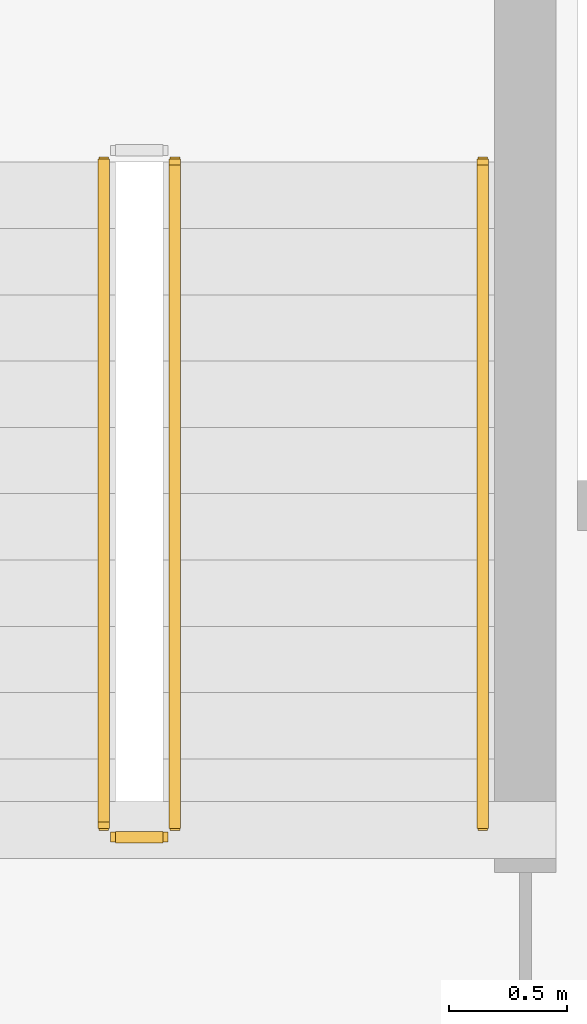
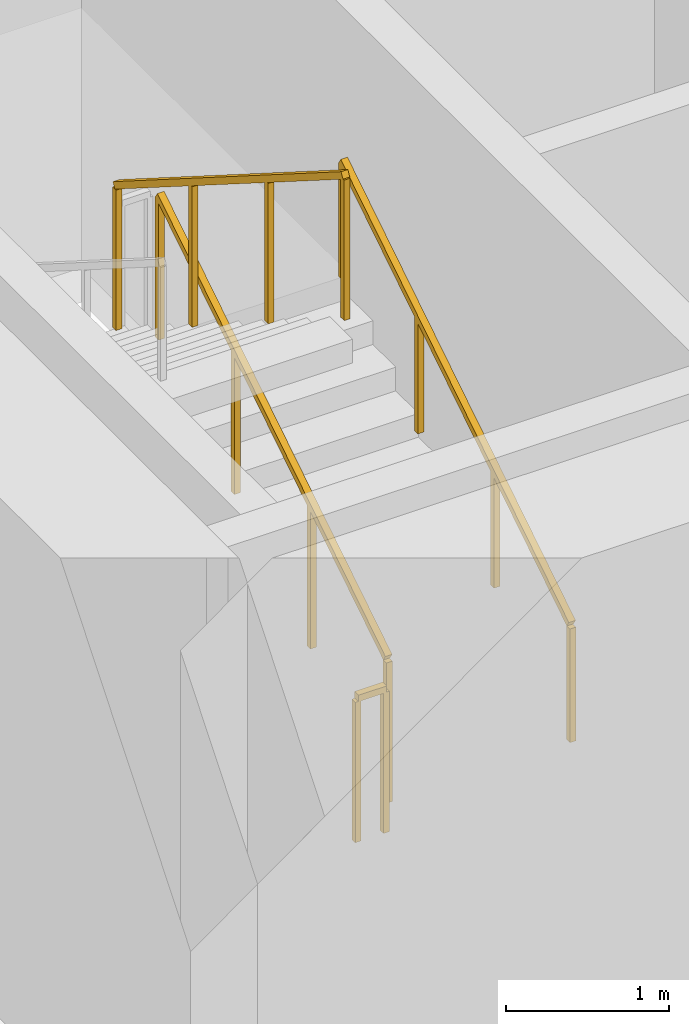
# One storey, part 34 of 38: 4 railings.
"""IFC4 building model written with IfcOpenShell, lengths in metres."""

from ifc_helpers import new_model, si_unit, direction, frame, origin, origin_2d, place, context, subcontext, project, spatial, rectangle, extrude, material, type_object, element, save


model = new_model("IFC4")

# Units and contexts
model_context = context("Model", 3, precision=1e-05, world=origin(), true_north=direction((0.0, 1.0)))
body_context = subcontext(model_context, "Body", "Model", "MODEL_VIEW")
ifc_project = project(units=[si_unit("LENGTHUNIT", "METRE"), si_unit("AREAUNIT", "SQUARE_METRE"), si_unit("VOLUMEUNIT", "CUBIC_METRE"), si_unit("PLANEANGLEUNIT", "RADIAN"), si_unit("MASSUNIT", "GRAM", prefix="KILO")], contexts=[model_context])

# Site, building, storey
site_placement = place(None, origin())
site = spatial("IfcSite", under=ifc_project, at=site_placement, CompositionType="ELEMENT")
building_placement = place(site_placement, origin())
building = spatial("IfcBuilding", under=site, at=building_placement, Name="Kiyonajd Concourse Tower", CompositionType="ELEMENT")
storey_placement = place(building_placement, frame((0.0, 0.0, 21.60009765625)))
storey = spatial("IfcBuildingStorey", under=building, at=storey_placement, Name="L06", CompositionType="ELEMENT", Elevation=21.60009765625)

# Railings
ifc_material_1 = material(Name="Steel ASTM A500 Grade C", Category="steel")
railing_type_1 = type_object("IfcRailingType", Name="RL-GRD-STR", PredefinedType="GUARDRAIL", material=ifc_material_1)
railing_1_placement = place(storey_placement, frame((35.5, 30.550048828125, 0.17724609375)))
element("IfcRailing", 1, at=railing_1_placement, inside=storey, type_object=railing_type_1, Name="L06 ST1 stair guard 1", PredefinedType="GUARDRAIL", context=body_context, shape_type="SweptSolid", body=[
    extrude(rectangle(XDim=0.048095703125, YDim=0.048095703125, at=origin_2d()), frame((0.0, 0.0, 1.076171875), z_axis=(0.0, 0.844908973607, 0.534910110503), x_axis=(-1.0, 0.0, 0.0)), (0.0, 0.0, 1.0), 3.31396484375),
    extrude(rectangle(XDim=0.0419921875, YDim=0.0419921875, at=origin_2d()), origin(), (0.0, 0.0, 1.0), 1.052001953125),
    extrude(rectangle(XDim=0.0419921875, YDim=0.0419921875, at=origin_2d()), frame((0.0, 0.933349609375, 0.5908203125)), (0.0, 0.0, 1.0), 1.052001953125),
    extrude(rectangle(XDim=0.0419921875, YDim=0.0419921875, at=origin_2d()), frame((0.0, 1.86669921875, 1.181884765625)), (0.0, 0.0, 1.0), 1.052001953125),
    extrude(rectangle(XDim=0.0419921875, YDim=0.0419921875, at=origin_2d()), frame((0.0, 2.800048828125, 1.772705078125)), (0.0, 0.0, 1.0), 1.052001953125),
])
railing_2_placement = place(storey_placement, frame((35.199951171875, 33.35009765625, 2.127197265625)))
element("IfcRailing", 2, at=railing_2_placement, inside=storey, type_object=railing_type_1, Name="L06 ST1 stair guard 3", PredefinedType="GUARDRAIL", context=body_context, shape_type="SweptSolid", body=[
    extrude(rectangle(XDim=0.048095703125, YDim=0.048095703125, at=origin_2d()), frame((0.0, 0.0, 1.076171875), z_axis=(0.0, -0.844908973607, 0.534910110503), x_axis=(1.0, 0.0, 0.0)), (0.0, 0.0, 1.0), 3.31396484375),
    extrude(rectangle(XDim=0.0419921875, YDim=0.0419921875, at=origin_2d()), origin(), (0.0, 0.0, 1.0), 1.052001953125),
    extrude(rectangle(XDim=0.0419921875, YDim=0.0419921875, at=origin_2d()), frame((0.0, -0.933349609375, 0.5908203125)), (0.0, 0.0, 1.0), 1.052001953125),
    extrude(rectangle(XDim=0.0419921875, YDim=0.0419921875, at=origin_2d()), frame((0.0, -1.86669921875, 1.181884765625)), (0.0, 0.0, 1.0), 1.052001953125),
    extrude(rectangle(XDim=0.0419921875, YDim=0.0419921875, at=origin_2d()), frame((0.0, -2.800048828125, 1.772705078125)), (0.0, 0.0, 1.0), 1.052001953125),
])
railing_3_placement = place(storey_placement, frame((35.449951171875, 30.5, 0.0)))
element("IfcRailing", 3, at=railing_3_placement, inside=storey, type_object=railing_type_1, Name="L06 ST1 stair guard 4", PredefinedType="GUARDRAIL", context=body_context, shape_type="SweptSolid", body=[
    extrude(rectangle(XDim=0.048095703125, YDim=0.048095703125, at=origin_2d()), frame((0.0, 0.0, 1.076171875), z_axis=(-1.0, 0.0, 0.0), x_axis=(0.0, -1.0, 0.0)), (0.0, 0.0, 1.0), 0.199951171875),
    extrude(rectangle(XDim=0.0419921875, YDim=0.0419921875, at=origin_2d()), origin(), (0.0, 0.0, 1.0), 1.052001953125),
    extrude(rectangle(XDim=0.0419921875, YDim=0.0419921875, at=origin_2d()), frame((-0.199951171875, 0.0, 0.0)), (0.0, 0.0, 1.0), 1.052001953125),
])
ifc_material_2 = material(Name="Brushed Stainless Steel Cab Assembly", Category="steel")
railing_type_2 = type_object("IfcRailingType", Name="RL-HND-900", PredefinedType="HANDRAIL", material=ifc_material_2)
railing_4_placement = place(storey_placement, frame((36.800048828125, 30.550048828125, 0.17724609375)))
element("IfcRailing", 4, at=railing_4_placement, inside=storey, type_object=railing_type_2, Name="L06 ST1 stair handrail 1", PredefinedType="HANDRAIL", context=body_context, shape_type="SweptSolid", body=[
    extrude(rectangle(XDim=0.048095703125, YDim=0.048095703125, at=origin_2d()), frame((0.0, 0.0, 0.8759765625), z_axis=(0.0, 0.844908973607, 0.534910110503), x_axis=(-1.0, 0.0, 0.0)), (0.0, 0.0, 1.0), 3.31396484375),
    extrude(rectangle(XDim=0.0419921875, YDim=0.0419921875, at=origin_2d()), origin(), (0.0, 0.0, 1.0), 0.851806640625),
    extrude(rectangle(XDim=0.0419921875, YDim=0.0419921875, at=origin_2d()), frame((0.0, 0.933349609375, 0.5908203125)), (0.0, 0.0, 1.0), 0.851806640625),
    extrude(rectangle(XDim=0.0419921875, YDim=0.0419921875, at=origin_2d()), frame((0.0, 1.86669921875, 1.181884765625)), (0.0, 0.0, 1.0), 0.851806640625),
    extrude(rectangle(XDim=0.0419921875, YDim=0.0419921875, at=origin_2d()), frame((0.0, 2.800048828125, 1.772705078125)), (0.0, 0.0, 1.0), 0.851806640625),
])

save(model, "model.ifc")
